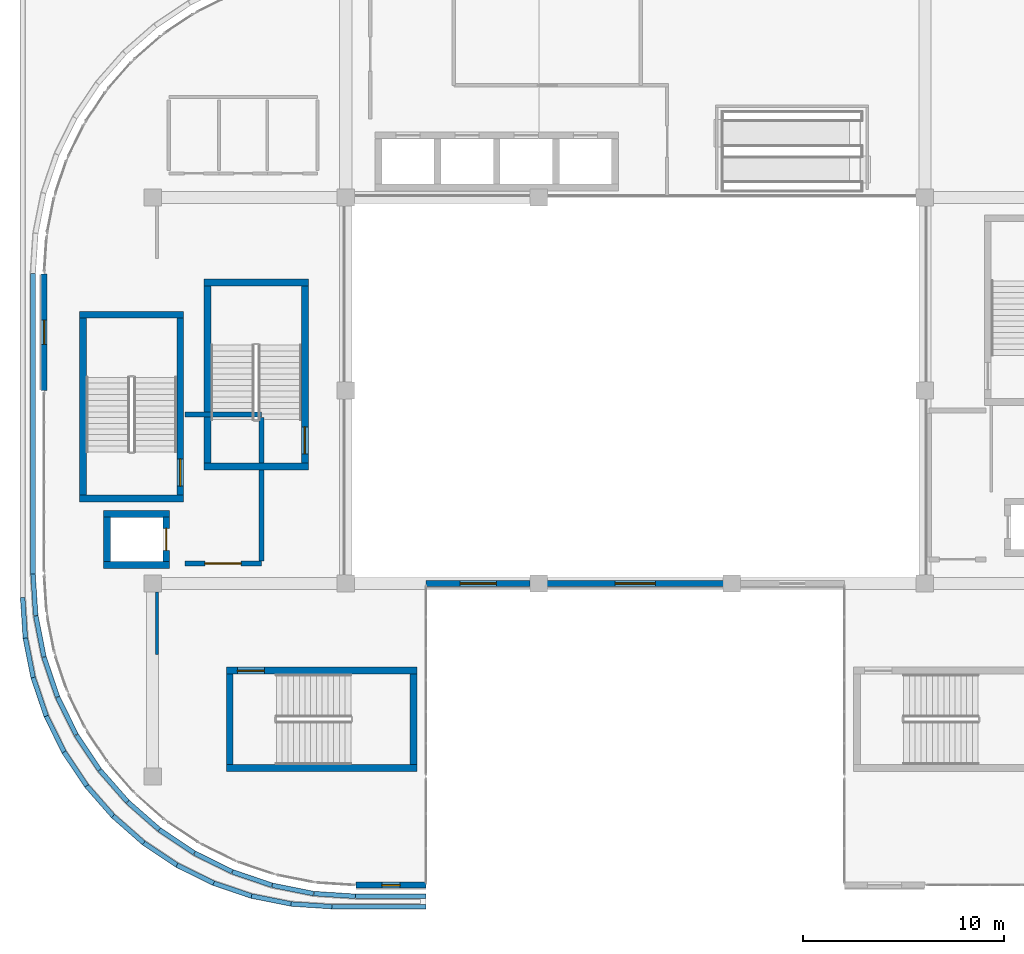
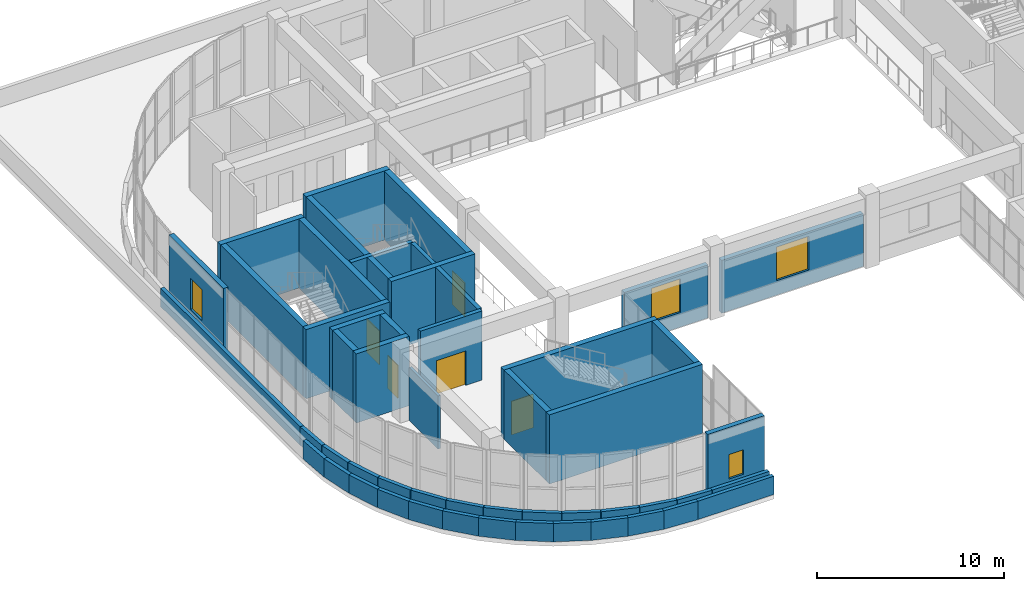
# One storey, part 41 of 67: 51 walls, 5 doors, 4 windows, 9 openings.
"""IFC4 building model written with IfcOpenShell, lengths in metres."""

from ifc_helpers import new_model, si_unit, direction, frame, frame_2d, origin, place, context, subcontext, project, spatial, rectangle, extrude, material, layer, layer_set, type_object, element, fill, save


model = new_model("IFC4")

# Units and contexts
model_context = context("Model", 3, precision=1e-05, world=origin(), true_north=direction((0.0, 1.0)))
body_context = subcontext(model_context, "Body", "Model", "MODEL_VIEW")
ifc_project = project(units=[si_unit("LENGTHUNIT", "METRE"), si_unit("AREAUNIT", "SQUARE_METRE"), si_unit("VOLUMEUNIT", "CUBIC_METRE"), si_unit("PLANEANGLEUNIT", "RADIAN"), si_unit("MASSUNIT", "GRAM", prefix="KILO")], contexts=[model_context])

# Site, building, storey
site_placement = place(None, origin())
site = spatial("IfcSite", under=ifc_project, at=site_placement, CompositionType="ELEMENT")
building_placement = place(site_placement, origin())
building = spatial("IfcBuilding", under=site, at=building_placement, Name="Cendralis Terraced Arcade", CompositionType="ELEMENT")
storey_placement = place(building_placement, frame((0.0, 0.0, 15.0)))
storey = spatial("IfcBuildingStorey", under=building, at=storey_placement, Name="L03", CompositionType="ELEMENT", Elevation=15.0)

# Walls
ifc_material_1 = material(Name="Concrete f'c 42 MPa", Category="concrete")
ifc_layer_1 = layer(ifc_material_1, 0.340087890625, Name="WL-CORE-340")
ifc_layer_set_1 = layer_set([ifc_layer_1], Name="Concrete f'c 42 MPa")
wall_type_1 = type_object("IfcWallType", Name="WL-CORE-340", PredefinedType="SHEAR", material=ifc_layer_set_1)
for number, where, z_axis, x_axis, name in (
    (1, (5.9599609375, 23.429931640625, 0.0), (0.0, 0.0, 1.0), (1.0, 0.0, 0.0), "Stair Core Reinforced Concrete Shear Wall SW-ST-01-L03-S"),
    (2, (5.9599609375, 32.570068359375, 0.0), (0.0, 0.0, 1.0), (1.0, 0.0, 0.0), "Stair Core Reinforced Concrete Shear Wall SW-ST-01-L03-N"),
):
    element("IfcWall", number, at=place(storey_placement, frame(where, z_axis=z_axis, x_axis=x_axis)), inside=storey, type_object=wall_type_1, Name=name, PredefinedType="SHEAR", context=body_context, shape_type="SweptSolid", body=[
        extrude(rectangle(XDim=5.179931640625, YDim=0.340087890625, at=frame_2d((2.58984375, 0.0))), origin(), (0.0, 0.0, 1.0), 4.52001953125),
    ])

# Wall, opening, door
wall_1_placement = place(storey_placement, frame((10.969970703125, 23.60009765625, 0.0), z_axis=(0.0, 0.0, 1.0), x_axis=(0.0, 1.0, 0.0)))
wall_1 = element("IfcWall", 3, at=wall_1_placement, inside=storey, type_object=wall_type_1, Name="Stair Core Reinforced Concrete Shear Wall SW-ST-01-L03-E", PredefinedType="SHEAR", context=body_context, shape_type="SweptSolid", body=[
    extrude(rectangle(XDim=8.7998046875, YDim=0.340087890625, at=frame_2d((4.39990234375, 0.0))), origin(), (0.0, 0.0, 1.0), 4.52001953125),
])
opening_1_placement = place(wall_1_placement, frame((0.449951171875, 0.0, 0.0)))
opening_1 = element("IfcOpeningElement", 4, at=opening_1_placement, cuts=wall_1, Name="Opening D-ST-01-L03", PredefinedType="OPENING", context=body_context, shape_type="SweptSolid", body=[
    extrude(rectangle(XDim=1.35009765625, YDim=2.199951171875, at=frame_2d((0.675048828125, 1.10009765625))), frame((0.0, 0.18212890625, 0.0), z_axis=(0.0, -1.0, 0.0), x_axis=(1.0, 0.0, 0.0)), (0.0, 0.0, 1.0), 0.364013671875),
])
ifc_material_2 = material(Name="Galvanised fire-rated steel door assembly", Category="steel")
door_type_1 = type_object("IfcDoorType", Name="ID-ST-1350x2200", OperationType="NOTDEFINED", PredefinedType="DOOR", material=ifc_material_2)
door_1_placement = place(opening_1_placement, origin())
door_1 = element("IfcDoor", 5, at=door_1_placement, inside=storey, type_object=door_type_1, Name="Protected Stair ST-01 Fire Door (L03)", OperationType="SINGLE_SWING_LEFT", OverallHeight=2.199951171875, OverallWidth=1.35009765625, PredefinedType="DOOR", context=body_context, shape_type="SweptSolid", body=[
    extrude(rectangle(XDim=1.35009765625, YDim=2.199951171875, at=frame_2d((0.675048828125, 1.10009765625))), frame((0.0, 0.02490234375, 0.0), z_axis=(0.0, -1.0, 0.0), x_axis=(1.0, 0.0, 0.0)), (0.0, 0.0, 1.0), 0.050048828125),
])
fill(opening_1, door_1)

# Walls
wall_2_placement = place(storey_placement, frame((6.1298828125, 23.60009765625, 0.0), z_axis=(0.0, 0.0, 1.0), x_axis=(0.0, 1.0, 0.0)))
element("IfcWall", 6, at=wall_2_placement, inside=storey, type_object=wall_type_1, Name="Stair Core Reinforced Concrete Shear Wall SW-ST-01-L03-W", PredefinedType="SHEAR", context=body_context, shape_type="SweptSolid", body=[
    extrude(rectangle(XDim=8.7998046875, YDim=0.340087890625, at=frame_2d((4.39990234375, 0.0))), origin(), (0.0, 0.0, 1.0), 4.52001953125),
])
wall_3_placement = place(storey_placement, frame((13.260009765625, 10.030029296875, 0.0), z_axis=(0.0, 0.0, 1.0), x_axis=(1.0, 0.0, 0.0)))
element("IfcWall", 7, at=wall_3_placement, inside=storey, type_object=wall_type_1, Name="Stair Core Reinforced Concrete Shear Wall SW-ST-02-L03-S", PredefinedType="SHEAR", context=body_context, shape_type="SweptSolid", body=[
    extrude(rectangle(XDim=9.47998046875, YDim=0.340087890625, at=frame_2d((4.739990234375, 0.0))), origin(), (0.0, 0.0, 1.0), 4.52001953125),
])

# Wall, opening, door
wall_4_placement = place(storey_placement, frame((13.260009765625, 14.8701171875, 0.0), z_axis=(0.0, 0.0, 1.0), x_axis=(1.0, 0.0, 0.0)))
wall_4 = element("IfcWall", 8, at=wall_4_placement, inside=storey, type_object=wall_type_1, Name="Stair Core Reinforced Concrete Shear Wall SW-ST-02-L03-N", PredefinedType="SHEAR", context=body_context, shape_type="SweptSolid", body=[
    extrude(rectangle(XDim=9.47998046875, YDim=0.340087890625, at=frame_2d((4.739990234375, 0.0))), origin(), (0.0, 0.0, 1.0), 4.52001953125),
])
opening_2_placement = place(wall_4_placement, frame((0.550048828125, 0.0, 0.0)))
opening_2 = element("IfcOpeningElement", 9, at=opening_2_placement, cuts=wall_4, Name="Opening D-ST-02-L03", PredefinedType="OPENING", context=body_context, shape_type="SweptSolid", body=[
    extrude(rectangle(XDim=1.35009765625, YDim=2.199951171875, at=frame_2d((0.675048828125, 1.10009765625))), frame((0.0, 0.18212890625, 0.0), z_axis=(0.0, -1.0, 0.0), x_axis=(1.0, 0.0, 0.0)), (0.0, 0.0, 1.0), 0.364013671875),
])
door_2_placement = place(opening_2_placement, frame((1.35009765625, 0.0, 0.0), z_axis=(0.0, 0.0, 1.0), x_axis=(-1.0, 0.0, 0.0)))
door_2 = element("IfcDoor", 10, at=door_2_placement, inside=storey, type_object=door_type_1, Name="Protected Stair ST-02 Fire Door (L03)", OperationType="SINGLE_SWING_RIGHT", OverallHeight=2.199951171875, OverallWidth=1.35009765625, PredefinedType="DOOR", context=body_context, shape_type="SweptSolid", body=[
    extrude(rectangle(XDim=1.35009765625, YDim=2.199951171875, at=frame_2d((0.675048828125, 1.10009765625))), frame((0.0, 0.02490234375, 0.0), z_axis=(0.0, -1.0, 0.0), x_axis=(1.0, 0.0, 0.0)), (0.0, 0.0, 1.0), 0.050048828125),
])
fill(opening_2, door_2)

# Walls
for number, where, z_axis, x_axis, name in (
    (11, (22.570068359375, 10.199951171875, 0.0), (0.0, 0.0, 1.0), (0.0, 1.0, 0.0), "Stair Core Reinforced Concrete Shear Wall SW-ST-02-L03-E"),
    (12, (13.429931640625, 10.199951171875, 0.0), (0.0, 0.0, 1.0), (0.0, 1.0, 0.0), "Stair Core Reinforced Concrete Shear Wall SW-ST-02-L03-W"),
):
    element("IfcWall", number, at=place(storey_placement, frame(where, z_axis=z_axis, x_axis=x_axis)), inside=storey, type_object=wall_type_1, Name=name, PredefinedType="SHEAR", context=body_context, shape_type="SweptSolid", body=[
        extrude(rectangle(XDim=4.5, YDim=0.340087890625, at=frame_2d((2.25, 0.0))), origin(), (0.0, 0.0, 1.0), 4.52001953125),
    ])
for number, where, z_axis, x_axis, name in (
    (13, (12.159912109375, 25.030029296875, 0.0), (0.0, 0.0, 1.0), (1.0, 0.0, 0.0), "Stair Core Reinforced Concrete Shear Wall SW-ST-05-L03-S"),
    (14, (12.159912109375, 34.169921875, 0.0), (0.0, 0.0, 1.0), (1.0, 0.0, 0.0), "Stair Core Reinforced Concrete Shear Wall SW-ST-05-L03-N"),
):
    element("IfcWall", number, at=place(storey_placement, frame(where, z_axis=z_axis, x_axis=x_axis)), inside=storey, type_object=wall_type_1, Name=name, PredefinedType="SHEAR", context=body_context, shape_type="SweptSolid", body=[
        extrude(rectangle(XDim=5.18017578125, YDim=0.340087890625, at=frame_2d((2.590087890625, 0.0))), origin(), (0.0, 0.0, 1.0), 4.52001953125),
    ])

# Wall, opening, door
wall_5_placement = place(storey_placement, frame((17.169921875, 25.199951171875, 0.0), z_axis=(0.0, 0.0, 1.0), x_axis=(0.0, 1.0, 0.0)))
wall_5 = element("IfcWall", 15, at=wall_5_placement, inside=storey, type_object=wall_type_1, Name="Stair Core Reinforced Concrete Shear Wall SW-ST-05-L03-E", PredefinedType="SHEAR", context=body_context, shape_type="SweptSolid", body=[
    extrude(rectangle(XDim=8.800048828125, YDim=0.340087890625, at=frame_2d((4.39990234375, 0.0))), origin(), (0.0, 0.0, 1.0), 4.52001953125),
])
opening_3_placement = place(wall_5_placement, frame((0.449951171875, 0.0, 0.0)))
opening_3 = element("IfcOpeningElement", 16, at=opening_3_placement, cuts=wall_5, Name="Opening D-ST-05-L03", PredefinedType="OPENING", context=body_context, shape_type="SweptSolid", body=[
    extrude(rectangle(XDim=1.35009765625, YDim=2.199951171875, at=frame_2d((0.675048828125, 1.10009765625))), frame((0.0, 0.18212890625, 0.0), z_axis=(0.0, -1.0, 0.0), x_axis=(1.0, 0.0, 0.0)), (0.0, 0.0, 1.0), 0.364013671875),
])
door_3_placement = place(opening_3_placement, origin())
door_3 = element("IfcDoor", 17, at=door_3_placement, inside=storey, type_object=door_type_1, Name="Protected Stair ST-05 Fire Door (L03)", OperationType="SINGLE_SWING_RIGHT", OverallHeight=2.199951171875, OverallWidth=1.35009765625, PredefinedType="DOOR", context=body_context, shape_type="SweptSolid", body=[
    extrude(rectangle(XDim=1.35009765625, YDim=2.199951171875, at=frame_2d((0.675048828125, 1.10009765625))), frame((0.0, 0.02490234375, 0.0), z_axis=(0.0, -1.0, 0.0), x_axis=(1.0, 0.0, 0.0)), (0.0, 0.0, 1.0), 0.050048828125),
])
fill(opening_3, door_3)

# Walls
wall_6_placement = place(storey_placement, frame((12.330078125, 25.199951171875, 0.0), z_axis=(0.0, 0.0, 1.0), x_axis=(0.0, 1.0, 0.0)))
element("IfcWall", 18, at=wall_6_placement, inside=storey, type_object=wall_type_1, Name="Stair Core Reinforced Concrete Shear Wall SW-ST-05-L03-W", PredefinedType="SHEAR", context=body_context, shape_type="SweptSolid", body=[
    extrude(rectangle(XDim=8.800048828125, YDim=0.340087890625, at=frame_2d((4.39990234375, 0.0))), origin(), (0.0, 0.0, 1.0), 4.52001953125),
])
for number, where, z_axis, x_axis, name in (
    (19, (7.159912109375, 20.1298828125, 0.0), (0.0, 0.0, 1.0), (1.0, 0.0, 0.0), "Lift FFL-01 Reinforced Concrete Shaft Wall (L03)"),
    (20, (7.159912109375, 22.669921875, 0.0), (0.0, 0.0, 1.0), (1.0, 0.0, 0.0), "Lift FFL-01 Reinforced Concrete Shaft Wall (L03)"),
):
    element("IfcWall", number, at=place(storey_placement, frame(where, z_axis=z_axis, x_axis=x_axis)), inside=storey, type_object=wall_type_1, Name=name, PredefinedType="SHEAR", context=body_context, shape_type="SweptSolid", body=[
        extrude(rectangle(XDim=3.280029296875, YDim=0.340087890625, at=frame_2d((1.64013671875, 0.0))), origin(), (0.0, 0.0, 1.0), 4.52001953125),
    ])
wall_7_placement = place(storey_placement, frame((7.330078125, 20.300048828125, 0.0), z_axis=(0.0, 0.0, 1.0), x_axis=(0.0, 1.0, 0.0)))
element("IfcWall", 21, at=wall_7_placement, inside=storey, type_object=wall_type_1, Name="Lift FFL-01 Reinforced Concrete Shaft Wall (L03)", PredefinedType="SHEAR", context=body_context, shape_type="SweptSolid", body=[
    extrude(rectangle(XDim=2.199951171875, YDim=0.340087890625, at=frame_2d((1.10009765625, 0.0))), origin(), (0.0, 0.0, 1.0), 4.52001953125),
])

# Wall, opening, door
wall_8_placement = place(storey_placement, frame((10.27001953125, 20.300048828125, 0.0), z_axis=(0.0, 0.0, 1.0), x_axis=(0.0, 1.0, 0.0)))
wall_8 = element("IfcWall", 22, at=wall_8_placement, inside=storey, type_object=wall_type_1, Name="Lift FFL-01 Reinforced Concrete Shaft Wall (L03)", PredefinedType="SHEAR", context=body_context, shape_type="SweptSolid", body=[
    extrude(rectangle(XDim=2.199951171875, YDim=0.340087890625, at=frame_2d((1.10009765625, 0.0))), origin(), (0.0, 0.0, 1.0), 4.52001953125),
])
opening_4_placement = place(wall_8_placement, frame((0.550048828125, 0.0, 0.0)))
opening_4 = element("IfcOpeningElement", 23, at=opening_4_placement, cuts=wall_8, Name="Opening LD-FFL-01-L03", PredefinedType="OPENING", context=body_context, shape_type="SweptSolid", body=[
    extrude(rectangle(XDim=1.10009765625, YDim=2.14990234375, at=frame_2d((0.550048828125, 1.074951171875))), frame((0.0, 0.18212890625, 0.0), z_axis=(0.0, -1.0, 0.0), x_axis=(1.0, 0.0, 0.0)), (0.0, 0.0, 1.0), 0.364013671875),
])
ifc_material_3 = material(Name="Anodised aluminium sliding door assembly", Category="aluminium")
door_type_2 = type_object("IfcDoorType", Name="ID-LD-FF-1100x2150", OperationType="DOUBLE_DOOR_SLIDING", PredefinedType="DOOR", material=ifc_material_3)
door_4_placement = place(opening_4_placement, origin())
door_4 = element("IfcDoor", 24, at=door_4_placement, inside=storey, type_object=door_type_2, Name="Lift FFL-01 Sliding Landing Door (L03)", OperationType="DOUBLE_DOOR_SLIDING", OverallHeight=2.14990234375, OverallWidth=1.10009765625, PredefinedType="DOOR", context=body_context, shape_type="SweptSolid", body=[
    extrude(rectangle(XDim=1.10009765625, YDim=2.14990234375, at=frame_2d((0.550048828125, 1.074951171875))), frame((0.0, 0.02490234375, 0.0), z_axis=(0.0, -1.0, 0.0), x_axis=(1.0, 0.0, 0.0)), (0.0, 0.0, 1.0), 0.050048828125),
])
fill(opening_4, door_4)

# Wall, opening, window
ifc_material_4 = material(Name="Precast concrete f'c 40 MPa", Category="concrete")
ifc_layer_2 = layer(ifc_material_4, 0.300048828125, Name="WL-EXT-GRC-300")
ifc_layer_set_2 = layer_set([ifc_layer_2], Name="Precast concrete f'c 40 MPa")
wall_type_2 = type_object("IfcWallType", Name="WL-EXT-GRC-300", PredefinedType="SOLIDWALL", material=ifc_layer_set_2)
wall_9_placement = place(storey_placement, frame((37.97705078125, 19.199951171875, 0.0), z_axis=(0.0, 0.0, 1.0), x_axis=(-1.0, 0.0, 0.0)))
wall_9 = element("IfcWall", 25, at=wall_9_placement, inside=storey, type_object=wall_type_2, Name="Exterior Architectural Wall EW-L03-0270", PredefinedType="SOLIDWALL", context=body_context, shape_type="SweptSolid", body=[
    extrude(rectangle(XDim=8.754150390625, YDim=0.300048828125, at=frame_2d((4.376953125, 0.0))), origin(), (0.0, 0.0, 1.0), 3.4599609375),
])
opening_5_placement = place(wall_9_placement, frame((3.376953125, 0.0, 0.949951171875)))
opening_5 = element("IfcOpeningElement", 26, at=opening_5_placement, cuts=wall_9, Name="Opening W-03", PredefinedType="OPENING", context=body_context, shape_type="SweptSolid", body=[
    extrude(rectangle(XDim=2.0, YDim=2.199951171875, at=frame_2d((1.0, 1.10009765625))), frame((0.0, 0.162109375, 0.0), z_axis=(0.0, -1.0, 0.0), x_axis=(1.0, 0.0, 0.0)), (0.0, 0.0, 1.0), 0.323974609375),
])
ifc_material_5 = material(Name="Tempered solar control laminated glass", Category="glass")
window_type_1 = type_object("IfcWindowType", Name="WN-F1-2000x2200", PartitioningType="SINGLE_PANEL", PredefinedType="WINDOW", material=ifc_material_5)
window_1_placement = place(opening_5_placement, origin())
window_1 = element("IfcWindow", 27, at=window_1_placement, inside=storey, type_object=window_type_1, Name="Exterior Solar-Control Window WN-L03-0177", OverallHeight=2.199951171875, OverallWidth=2.0, PartitioningType="SINGLE_PANEL", PredefinedType="WINDOW", context=body_context, shape_type="SweptSolid", body=[
    extrude(rectangle(XDim=2.0, YDim=2.199951171875, at=frame_2d((1.0, 1.10009765625))), frame((0.0, 0.030029296875, 0.0), z_axis=(0.0, -1.0, 0.0), x_axis=(1.0, 0.0, 0.0)), (0.0, 0.0, 1.0), 0.06005859375),
])
fill(opening_5, window_1)

wall_10_placement = place(storey_placement, frame((28.376953125, 19.199951171875, 0.0), z_axis=(0.0, 0.0, 1.0), x_axis=(-1.0, 0.0, 0.0)))
wall_10 = element("IfcWall", 28, at=wall_10_placement, inside=storey, type_object=wall_type_2, Name="Exterior Architectural Wall EW-L03-0271", PredefinedType="SOLIDWALL", context=body_context, shape_type="SweptSolid", body=[
    extrude(rectangle(XDim=5.177001953125, YDim=0.300048828125, at=frame_2d((2.58837890625, 0.0))), origin(), (0.0, 0.0, 1.0), 3.4599609375),
])
opening_6_placement = place(wall_10_placement, frame((1.6884765625, 0.0, 0.949951171875)))
opening_6 = element("IfcOpeningElement", 29, at=opening_6_placement, cuts=wall_10, Name="Opening W-04", PredefinedType="OPENING", context=body_context, shape_type="SweptSolid", body=[
    extrude(rectangle(XDim=1.800048828125, YDim=2.199951171875, at=frame_2d((0.89990234375, 1.10009765625))), frame((0.0, 0.162109375, 0.0), z_axis=(0.0, -1.0, 0.0), x_axis=(1.0, 0.0, 0.0)), (0.0, 0.0, 1.0), 0.323974609375),
])
window_type_2 = type_object("IfcWindowType", Name="WN-F1-1800x2200", PartitioningType="SINGLE_PANEL", PredefinedType="WINDOW", material=ifc_material_5)
window_2_placement = place(opening_6_placement, origin())
window_2 = element("IfcWindow", 30, at=window_2_placement, inside=storey, type_object=window_type_2, Name="Exterior Solar-Control Window WN-L03-0178", OverallHeight=2.199951171875, OverallWidth=1.800048828125, PartitioningType="SINGLE_PANEL", PredefinedType="WINDOW", context=body_context, shape_type="SweptSolid", body=[
    extrude(rectangle(XDim=1.800048828125, YDim=2.199951171875, at=frame_2d((0.89990234375, 1.10009765625))), frame((0.0, 0.030029296875, 0.0), z_axis=(0.0, -1.0, 0.0), x_axis=(1.0, 0.0, 0.0)), (0.0, 0.0, 1.0), 0.06005859375),
])
fill(opening_6, window_2)

wall_11_placement = place(storey_placement, frame((23.199951171875, 4.199951171875, 0.0), z_axis=(0.0, 0.0, 1.0), x_axis=(-1.0, 0.0, 0.0)))
wall_11 = element("IfcWall", 31, at=wall_11_placement, inside=storey, type_object=wall_type_2, Name="Exterior Architectural Wall EW-L03-0272", PredefinedType="SOLIDWALL", context=body_context, shape_type="SweptSolid", body=[
    extrude(rectangle(XDim=3.5, YDim=0.300048828125, at=frame_2d((1.75, 0.0))), origin(), (0.0, 0.0, 1.0), 4.52001953125),
])
opening_7_placement = place(wall_11_placement, frame((1.300048828125, 0.0, 1.14990234375)))
opening_7 = element("IfcOpeningElement", 32, at=opening_7_placement, cuts=wall_11, Name="Opening W-24", PredefinedType="OPENING", context=body_context, shape_type="SweptSolid", body=[
    extrude(rectangle(XDim=0.89990234375, YDim=1.60009765625, at=frame_2d((0.449951171875, 0.800048828125))), frame((0.0, 0.162109375, 0.0), z_axis=(0.0, -1.0, 0.0), x_axis=(1.0, 0.0, 0.0)), (0.0, 0.0, 1.0), 0.323974609375),
])
window_type_3 = type_object("IfcWindowType", Name="WN-ST-0900x1600", PartitioningType="SINGLE_PANEL", PredefinedType="WINDOW", material=ifc_material_5)
window_3_placement = place(opening_7_placement, origin())
window_3 = element("IfcWindow", 33, at=window_3_placement, inside=storey, type_object=window_type_3, Name="Exterior Solar-Control Window WN-L03-0179", OverallHeight=1.60009765625, OverallWidth=0.89990234375, PartitioningType="SINGLE_PANEL", PredefinedType="WINDOW", context=body_context, shape_type="SweptSolid", body=[
    extrude(rectangle(XDim=0.89990234375, YDim=1.60009765625, at=frame_2d((0.449951171875, 0.800048828125))), frame((0.0, 0.030029296875, 0.0), z_axis=(0.0, -1.0, 0.0), x_axis=(1.0, 0.0, 0.0)), (0.0, 0.0, 1.0), 0.06005859375),
])
fill(opening_7, window_3)

wall_12_placement = place(storey_placement, frame((4.199951171875, 28.800048828125, 0.0), z_axis=(0.0, 0.0, 1.0), x_axis=(0.0, 1.0, 0.0)))
wall_12 = element("IfcWall", 34, at=wall_12_placement, inside=storey, type_object=wall_type_2, Name="Exterior Architectural Wall EW-L03-0273", PredefinedType="SOLIDWALL", context=body_context, shape_type="SweptSolid", body=[
    extrude(rectangle(XDim=5.800048828125, YDim=0.300048828125, at=frame_2d((2.89990234375, 0.0))), origin(), (0.0, 0.0, 1.0), 4.52001953125),
])
opening_8_placement = place(wall_12_placement, frame((2.300048828125, 0.0, 1.050048828125)))
opening_8 = element("IfcOpeningElement", 35, at=opening_8_placement, cuts=wall_12, Name="Opening W-07", PredefinedType="OPENING", context=body_context, shape_type="SweptSolid", body=[
    extrude(rectangle(XDim=1.199951171875, YDim=2.0, at=frame_2d((0.60009765625, 1.0))), frame((0.0, 0.162109375, 0.0), z_axis=(0.0, -1.0, 0.0), x_axis=(1.0, 0.0, 0.0)), (0.0, 0.0, 1.0), 0.323974609375),
])
window_type_4 = type_object("IfcWindowType", Name="WN-F1-1200x2000", PartitioningType="SINGLE_PANEL", PredefinedType="WINDOW", material=ifc_material_5)
window_4_placement = place(opening_8_placement, origin())
window_4 = element("IfcWindow", 36, at=window_4_placement, inside=storey, type_object=window_type_4, Name="Exterior Solar-Control Window WN-L03-0180", OverallHeight=2.0, OverallWidth=1.199951171875, PartitioningType="SINGLE_PANEL", PredefinedType="WINDOW", context=body_context, shape_type="SweptSolid", body=[
    extrude(rectangle(XDim=1.199951171875, YDim=2.0, at=frame_2d((0.60009765625, 1.0))), frame((0.0, 0.030029296875, 0.0), z_axis=(0.0, -1.0, 0.0), x_axis=(1.0, 0.0, 0.0)), (0.0, 0.0, 1.0), 0.06005859375),
])
fill(opening_8, window_4)

# Wall, opening, door
ifc_material_6 = material(Name="Autoclaved aerated concrete blockwork", Category="masonry")
ifc_layer_3 = layer(ifc_material_6, 0.25, Name="WL-FFL-250")
ifc_layer_set_3 = layer_set([ifc_layer_3], Name="Autoclaved aerated concrete blockwork")
wall_type_3 = type_object("IfcWallType", Name="WL-FFL-250", PredefinedType="PARTITIONING", material=ifc_layer_set_3)
wall_13_placement = place(storey_placement, frame((11.199951171875, 20.199951171875, 0.0), z_axis=(0.0, 0.0, 1.0), x_axis=(1.0, 0.0, 0.0)))
wall_13 = element("IfcWall", 37, at=wall_13_placement, inside=storey, type_object=wall_type_3, Name="Firefighting Lift Lobby FFL-01 Rated Wall S (L03)", PredefinedType="PARTITIONING", context=body_context, shape_type="SweptSolid", body=[
    extrude(rectangle(XDim=3.800048828125, YDim=0.25, at=frame_2d((1.89990234375, 0.0))), origin(), (0.0, 0.0, 1.0), 4.52001953125),
])
opening_9_placement = place(wall_13_placement, frame((1.0, 0.0, 0.0)))
opening_9 = element("IfcOpeningElement", 38, at=opening_9_placement, cuts=wall_13, Name="Opening D-FFL-01-L03-S", PredefinedType="OPENING", context=body_context, shape_type="SweptSolid", body=[
    extrude(rectangle(XDim=1.800048828125, YDim=2.25, at=frame_2d((0.89990234375, 1.125))), frame((0.0, 0.136962890625, 0.0), z_axis=(0.0, -1.0, 0.0), x_axis=(1.0, 0.0, 0.0)), (0.0, 0.0, 1.0), 0.27392578125),
])
door_type_3 = type_object("IfcDoorType", Name="ID-FFL-1800x2250", OperationType="DOUBLE_DOOR_SINGLE_SWING", PredefinedType="DOOR", material=ifc_material_2)
door_5_placement = place(opening_9_placement, origin())
door_5 = element("IfcDoor", 39, at=door_5_placement, inside=storey, type_object=door_type_3, Name="Firefighting Lift Lobby FFL-01 Rated Double Door (L03)", OperationType="DOUBLE_DOOR_SINGLE_SWING", OverallHeight=2.25, OverallWidth=1.800048828125, PredefinedType="DOOR", context=body_context, shape_type="SweptSolid", body=[
    extrude(rectangle(XDim=1.800048828125, YDim=2.25, at=frame_2d((0.89990234375, 1.125))), frame((0.0, 0.02490234375, 0.0), z_axis=(0.0, -1.0, 0.0), x_axis=(1.0, 0.0, 0.0)), (0.0, 0.0, 1.0), 0.050048828125),
])
fill(opening_9, door_5)

# Walls
wall_14_placement = place(storey_placement, frame((11.199951171875, 27.60009765625, 0.0), z_axis=(0.0, 0.0, 1.0), x_axis=(1.0, 0.0, 0.0)))
element("IfcWall", 40, at=wall_14_placement, inside=storey, type_object=wall_type_3, Name="Firefighting Lift Lobby FFL-01 Rated Wall N (L03)", PredefinedType="PARTITIONING", context=body_context, shape_type="SweptSolid", body=[
    extrude(rectangle(XDim=3.800048828125, YDim=0.25, at=frame_2d((1.89990234375, 0.0))), origin(), (0.0, 0.0, 1.0), 4.52001953125),
])
wall_15_placement = place(storey_placement, frame((15.0, 20.330078125, 0.0), z_axis=(0.0, 0.0, 1.0), x_axis=(0.0, 1.0, 0.0)))
element("IfcWall", 41, at=wall_15_placement, inside=storey, type_object=wall_type_3, Name="Firefighting Lift Lobby FFL-01 Rated Wall E (L03)", PredefinedType="PARTITIONING", context=body_context, shape_type="SweptSolid", body=[
    extrude(rectangle(XDim=7.139892578125, YDim=0.25, at=frame_2d((3.56982421875, 0.0))), origin(), (0.0, 0.0, 1.0), 4.52001953125),
])
ifc_layer_4 = layer(ifc_material_4, 0.22998046875, Name="WL-PAR-230")
ifc_layer_set_4 = layer_set([ifc_layer_4], Name="Precast concrete f'c 40 MPa")
wall_type_4 = type_object("IfcWallType", Name="WL-PAR-230", PredefinedType="PARAPET", material=ifc_layer_set_4)
wall_16_placement = place(storey_placement, frame((3.64501953125, 34.61376953125, 0.0), z_axis=(0.0, 0.0, 1.0), x_axis=(0.0, -1.0, 0.0)))
element("IfcWall", 42, at=wall_16_placement, inside=storey, type_object=wall_type_4, Name="Precast Concrete Roof Parapet Wall PAR-L03-348", PredefinedType="PARAPET", context=body_context, shape_type="SweptSolid", body=[
    extrude(rectangle(XDim=14.927490234375, YDim=0.22998046875, at=frame_2d((7.4638671875, 0.0))), origin(), (0.0, 0.0, 1.0), 1.199951171875),
])
wall_17_placement = place(storey_placement, frame((3.645263671875, 19.677490234375, 0.0), z_axis=(0.0, 0.0, 1.0), x_axis=(0.065375455078, -0.997860736713, 0.0)))
element("IfcWall", 43, at=wall_17_placement, inside=storey, type_object=wall_type_4, Name="Precast Concrete Roof Parapet Wall PAR-L03-349", PredefinedType="PARAPET", context=body_context, shape_type="SweptSolid", body=[
    extrude(rectangle(XDim=2.06884765625, YDim=0.22998046875, at=frame_2d((1.034423828125, 0.0))), origin(), (0.0, 0.0, 1.0), 1.199951171875),
])
wall_18_placement = place(storey_placement, frame((3.782958984375, 17.595703125, 0.0), z_axis=(0.0, 0.0, 1.0), x_axis=(0.195056518951, -0.980792003645, 0.0)))
element("IfcWall", 44, at=wall_18_placement, inside=storey, type_object=wall_type_4, Name="Precast Concrete Roof Parapet Wall PAR-L03-350", PredefinedType="PARAPET", context=body_context, shape_type="SweptSolid", body=[
    extrude(rectangle(XDim=2.082763671875, YDim=0.22998046875, at=frame_2d((1.04150390625, 0.0))), origin(), (0.0, 0.0, 1.0), 1.199951171875),
])
for number, where, z_axis, x_axis, name in (
    (45, (4.193603515625, 15.535888671875, 0.0), (0.0, 0.0, 1.0), (0.321568544028, -0.94688630336, 0.0), "Precast Concrete Roof Parapet Wall PAR-L03-351"),
    (46, (4.869873046875, 13.547607421875, 0.0), (0.0, 0.0, 1.0), (0.442329946041, -0.896852395233, 0.0), "Precast Concrete Roof Parapet Wall PAR-L03-352"),
    (47, (5.7998046875, 11.66455078125, 0.0), (0.0, 0.0, 1.0), (0.555592692256, -0.831454605082, 0.0), "Precast Concrete Roof Parapet Wall PAR-L03-353"),
    (48, (6.967529296875, 9.9189453125, 0.0), (0.0, 0.0, 1.0), (0.65940876055, -0.751784601139, 0.0), "Precast Concrete Roof Parapet Wall PAR-L03-354"),
    (49, (8.353271484375, 8.3408203125, 0.0), (0.0, 0.0, 1.0), (0.751784601139, -0.65940876055, 0.0), "Precast Concrete Roof Parapet Wall PAR-L03-355"),
    (50, (9.93310546875, 6.956787109375, 0.0), (0.0, 0.0, 1.0), (0.831454605082, -0.555592692256, 0.0), "Precast Concrete Roof Parapet Wall PAR-L03-356"),
    (51, (11.679931640625, 5.791015625, 0.0), (0.0, 0.0, 1.0), (0.896852395233, -0.442329946041, 0.0), "Precast Concrete Roof Parapet Wall PAR-L03-357"),
    (52, (13.56396484375, 4.86328125, 0.0), (0.0, 0.0, 1.0), (0.94688630336, -0.321568544028, 0.0), "Precast Concrete Roof Parapet Wall PAR-L03-358"),
):
    element("IfcWall", number, at=place(storey_placement, frame(where, z_axis=z_axis, x_axis=x_axis)), inside=storey, type_object=wall_type_4, Name=name, PredefinedType="PARAPET", context=body_context, shape_type="SweptSolid", body=[
        extrude(rectangle(XDim=2.08251953125, YDim=0.22998046875, at=frame_2d((1.041259765625, 0.0))), origin(), (0.0, 0.0, 1.0), 1.199951171875),
    ])
wall_19_placement = place(storey_placement, frame((15.552978515625, 4.189208984375, 0.0), z_axis=(0.0, 0.0, 1.0), x_axis=(0.980792003645, -0.195056518951, 0.0)))
element("IfcWall", 53, at=wall_19_placement, inside=storey, type_object=wall_type_4, Name="Precast Concrete Roof Parapet Wall PAR-L03-359", PredefinedType="PARAPET", context=body_context, shape_type="SweptSolid", body=[
    extrude(rectangle(XDim=2.082763671875, YDim=0.22998046875, at=frame_2d((1.04150390625, 0.0))), origin(), (0.0, 0.0, 1.0), 1.199951171875),
])
wall_20_placement = place(storey_placement, frame((17.613037109375, 3.780517578125, 0.0), z_axis=(0.0, 0.0, 1.0), x_axis=(0.997860736713, -0.065375455078, 0.0)))
element("IfcWall", 54, at=wall_20_placement, inside=storey, type_object=wall_type_4, Name="Precast Concrete Roof Parapet Wall PAR-L03-360", PredefinedType="PARAPET", context=body_context, shape_type="SweptSolid", body=[
    extrude(rectangle(XDim=2.06884765625, YDim=0.22998046875, at=frame_2d((1.034423828125, 0.0))), origin(), (0.0, 0.0, 1.0), 1.199951171875),
])
wall_21_placement = place(storey_placement, frame((19.686279296875, 3.64501953125, 0.0), z_axis=(0.0, 0.0, 1.0), x_axis=(1.0, 0.0, 0.0)))
element("IfcWall", 55, at=wall_21_placement, inside=storey, type_object=wall_type_4, Name="Precast Concrete Roof Parapet Wall PAR-L03-361", PredefinedType="PARAPET", context=body_context, shape_type="SweptSolid", body=[
    extrude(rectangle(XDim=3.513671875, YDim=0.22998046875, at=frame_2d((1.7568359375, 0.0))), origin(), (0.0, 0.0, 1.0), 1.199951171875),
])
wall_22_placement = place(storey_placement, frame((23.199951171875, 3.135009765625, 0.0), z_axis=(0.0, 0.0, 1.0), x_axis=(-1.0, 0.0, 0.0)))
element("IfcWall", 56, at=wall_22_placement, inside=storey, type_object=wall_type_4, Name="Precast Concrete Roof Parapet Wall PAR-L03-362", PredefinedType="PARAPET", context=body_context, shape_type="SweptSolid", body=[
    extrude(rectangle(XDim=4.699951171875, YDim=0.22998046875, at=frame_2d((2.35009765625, 0.0))), origin(), (0.0, 0.0, 1.0), 1.199951171875),
])
for number, where, z_axis, x_axis, name in (
    (57, (18.5087890625, 3.134765625, 0.0), (0.0, 0.0, 1.0), (-0.997860170016, 0.065384104298, 0.0), "Precast Concrete Roof Parapet Wall PAR-L03-363"),
    (58, (16.503173828125, 3.264892578125, 0.0), (0.0, 0.0, 1.0), (-0.980788534345, 0.195073962632, 0.0), "Precast Concrete Roof Parapet Wall PAR-L03-364"),
    (59, (14.53173828125, 3.656005859375, 0.0), (0.0, 0.0, 1.0), (-0.946947292042, 0.321388901635, 0.0), "Precast Concrete Roof Parapet Wall PAR-L03-365"),
):
    element("IfcWall", number, at=place(storey_placement, frame(where, z_axis=z_axis, x_axis=x_axis)), inside=storey, type_object=wall_type_4, Name=name, PredefinedType="PARAPET", context=body_context, shape_type="SweptSolid", body=[
        extrude(rectangle(XDim=2.027587890625, YDim=0.22998046875, at=frame_2d((1.013671875, 0.0))), origin(), (0.0, 0.0, 1.0), 1.199951171875),
    ])
wall_23_placement = place(storey_placement, frame((12.628173828125, 4.301025390625, 0.0), z_axis=(0.0, 0.0, 1.0), x_axis=(-0.896870216232, 0.442293810985, 0.0)))
element("IfcWall", 60, at=wall_23_placement, inside=storey, type_object=wall_type_4, Name="Precast Concrete Roof Parapet Wall PAR-L03-366", PredefinedType="PARAPET", context=body_context, shape_type="SweptSolid", body=[
    extrude(rectangle(XDim=2.02734375, YDim=0.22998046875, at=frame_2d((1.013671875, 0.0))), origin(), (0.0, 0.0, 1.0), 1.199951171875),
])
for number, where, z_axis, x_axis, name in (
    (61, (10.824951171875, 5.188720703125, 0.0), (0.0, 0.0, 1.0), (-0.831457012987, 0.555589088765, 0.0), "Precast Concrete Roof Parapet Wall PAR-L03-367"),
    (62, (9.1533203125, 6.304443359375, 0.0), (0.0, 0.0, 1.0), (-0.751830318908, 0.659356634584, 0.0), "Precast Concrete Roof Parapet Wall PAR-L03-368"),
    (63, (7.641357421875, 7.62890625, 0.0), (0.0, 0.0, 1.0), (-0.659356634584, 0.751830318908, 0.0), "Precast Concrete Roof Parapet Wall PAR-L03-369"),
    (64, (6.315185546875, 9.13916015625, 0.0), (0.0, 0.0, 1.0), (-0.555589088765, 0.831457012987, 0.0), "Precast Concrete Roof Parapet Wall PAR-L03-370"),
):
    element("IfcWall", number, at=place(storey_placement, frame(where, z_axis=z_axis, x_axis=x_axis)), inside=storey, type_object=wall_type_4, Name=name, PredefinedType="PARAPET", context=body_context, shape_type="SweptSolid", body=[
        extrude(rectangle(XDim=2.027587890625, YDim=0.22998046875, at=frame_2d((1.013671875, 0.0))), origin(), (0.0, 0.0, 1.0), 1.199951171875),
    ])
wall_24_placement = place(storey_placement, frame((5.19775390625, 10.809814453125, 0.0), z_axis=(0.0, 0.0, 1.0), x_axis=(-0.442293810985, 0.896870216232, 0.0)))
element("IfcWall", 65, at=wall_24_placement, inside=storey, type_object=wall_type_4, Name="Precast Concrete Roof Parapet Wall PAR-L03-371", PredefinedType="PARAPET", context=body_context, shape_type="SweptSolid", body=[
    extrude(rectangle(XDim=2.02734375, YDim=0.22998046875, at=frame_2d((1.013671875, 0.0))), origin(), (0.0, 0.0, 1.0), 1.199951171875),
])
for number, where, z_axis, x_axis, name in (
    (66, (4.3076171875, 12.61181640625, 0.0), (0.0, 0.0, 1.0), (-0.321388901635, 0.946947292042, 0.0), "Precast Concrete Roof Parapet Wall PAR-L03-372"),
    (67, (3.660400390625, 14.5146484375, 0.0), (0.0, 0.0, 1.0), (-0.195073962632, 0.980788534345, 0.0), "Precast Concrete Roof Parapet Wall PAR-L03-373"),
    (68, (3.267333984375, 16.485595703125, 0.0), (0.0, 0.0, 1.0), (-0.065384104298, 0.997860170016, 0.0), "Precast Concrete Roof Parapet Wall PAR-L03-374"),
):
    element("IfcWall", number, at=place(storey_placement, frame(where, z_axis=z_axis, x_axis=x_axis)), inside=storey, type_object=wall_type_4, Name=name, PredefinedType="PARAPET", context=body_context, shape_type="SweptSolid", body=[
        extrude(rectangle(XDim=2.027587890625, YDim=0.22998046875, at=frame_2d((1.013671875, 0.0))), origin(), (0.0, 0.0, 1.0), 1.199951171875),
    ])
ifc_material_7 = material(Name="Gypsum plasterboard acoustic partition", Category="concrete")
ifc_layer_5 = layer(ifc_material_7, 0.159912109375, Name="WL-PART-160")
ifc_layer_set_5 = layer_set([ifc_layer_5], Name="Gypsum plasterboard acoustic partition")
wall_type_5 = type_object("IfcWallType", Name="WL-PART-160", PredefinedType="PARTITIONING", material=ifc_layer_set_5)
wall_25_placement = place(storey_placement, frame((9.820068359375, 18.77490234375, 0.0), z_axis=(0.0, 0.0, 1.0), x_axis=(0.0, -1.0, 0.0)))
element("IfcWall", 69, at=wall_25_placement, inside=storey, type_object=wall_type_5, Name="Interior Partition Wall IW-L03-0532", PredefinedType="PARTITIONING", context=body_context, shape_type="SweptSolid", body=[
    extrude(rectangle(XDim=3.094970703125, YDim=0.159912109375, at=frame_2d((1.54736328125, 0.0))), origin(), (0.0, 0.0, 1.0), 3.4599609375),
])

save(model, "model.ifc")
